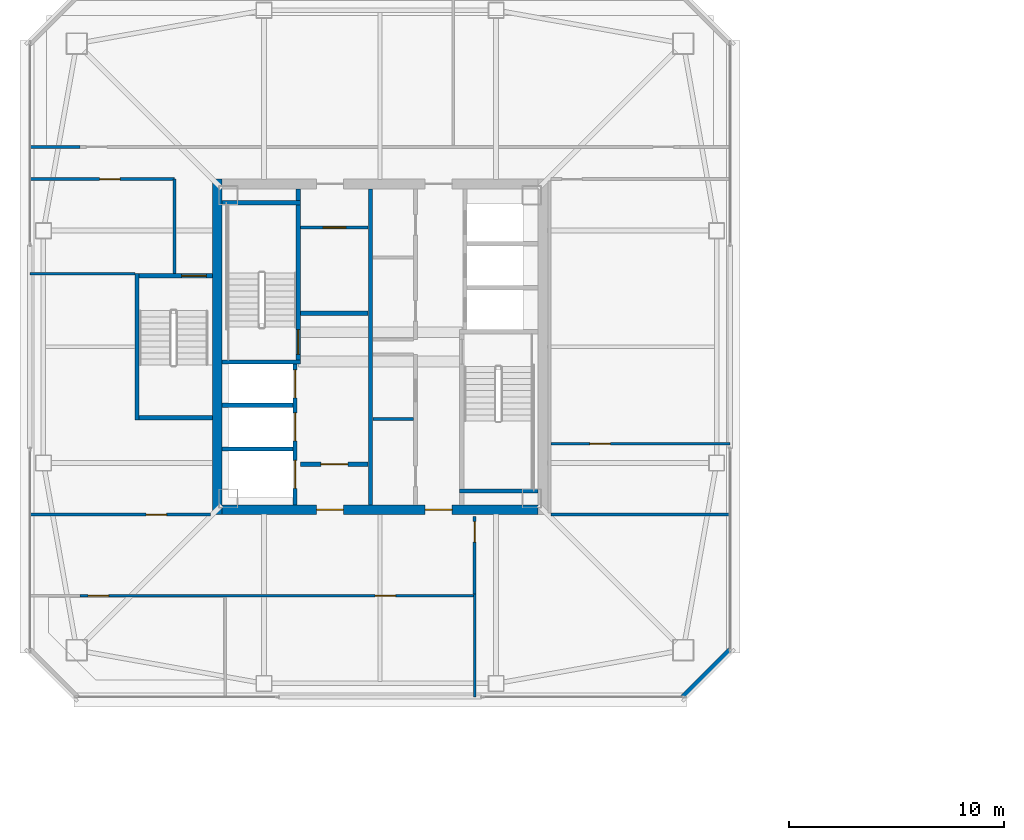
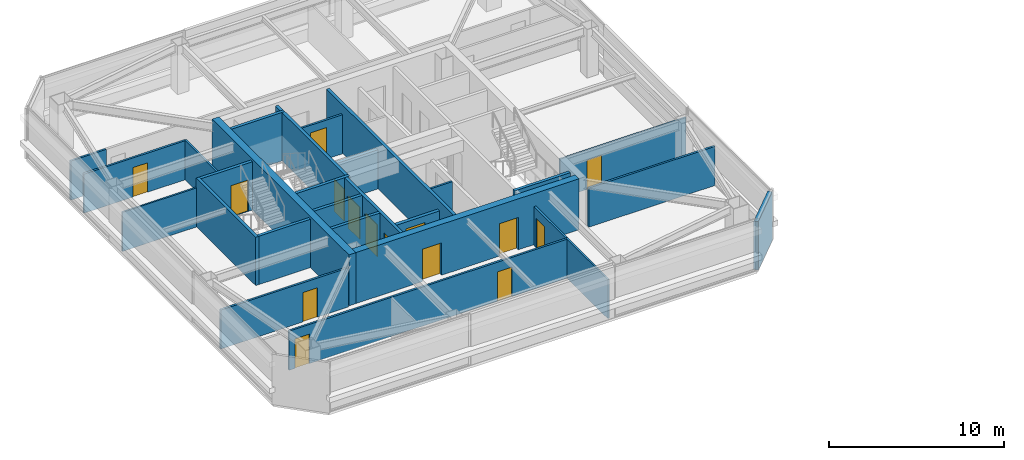
# One storey, part 29 of 39: 28 walls, 15 doors, 15 openings.
"""IFC4 building model written with IfcOpenShell, lengths in metres."""

from ifc_helpers import new_model, si_unit, direction, frame, frame_2d, origin, place, context, subcontext, project, spatial, rectangle, extrude, material, layer, layer_set, type_object, element, fill, save


model = new_model("IFC4")

# Units and contexts
model_context = context("Model", 3, precision=1e-05, world=origin(), true_north=direction((0.0, 1.0)))
body_context = subcontext(model_context, "Body", "Model", "MODEL_VIEW")
ifc_project = project(units=[si_unit("LENGTHUNIT", "METRE"), si_unit("AREAUNIT", "SQUARE_METRE"), si_unit("VOLUMEUNIT", "CUBIC_METRE"), si_unit("PLANEANGLEUNIT", "RADIAN"), si_unit("MASSUNIT", "GRAM", prefix="KILO")], contexts=[model_context])

# Site, building, storey
site_placement = place(None, origin())
site = spatial("IfcSite", under=ifc_project, at=site_placement, CompositionType="ELEMENT")
building_placement = place(site_placement, origin())
building = spatial("IfcBuilding", under=site, at=building_placement, Name="Tashvorn Skyway Center", CompositionType="ELEMENT")
storey_placement = place(building_placement, frame((0.0, 0.0, 207.75)))
storey = spatial("IfcBuildingStorey", under=building, at=storey_placement, Name="L56", CompositionType="ELEMENT", Elevation=207.75)

# Wall
ifc_material_1 = material(Name="Concrete C50/60", Category="concrete")
ifc_layer_1 = layer(ifc_material_1, 0.449951171875)
ifc_layer_set_1 = layer_set([ifc_layer_1], Name="Concrete C50/60")
wall_type_1 = type_object("IfcWallType", Name="WALL-CORE-450", PredefinedType="SHEAR", material=ifc_layer_set_1)
wall_1_placement = place(storey_placement, frame((34.425048828125, 24.199951171875, 0.0), z_axis=(0.0, 0.0, 1.0), x_axis=(0.0, 1.0, 0.0)))
element("IfcWall", 1, at=wall_1_placement, inside=storey, type_object=wall_type_1, Name="Tower 1 L56 West Core Shear Wall", PredefinedType="SHEAR", context=body_context, shape_type="SweptSolid", body=[
    extrude(rectangle(XDim=15.60009765625, YDim=0.449951171875, at=frame_2d((7.800048828125, 0.0))), origin(), (0.0, 0.0, 1.0), 3.550048828125),
])

# Wall, openings, doors
wall_2_placement = place(storey_placement, frame((49.35009765625, 24.425048828125, 0.0), z_axis=(0.0, 0.0, 1.0), x_axis=(-1.0, 0.0, 0.0)))
wall_2 = element("IfcWall", 2, at=wall_2_placement, inside=storey, type_object=wall_type_1, Name="Tower 1 L56 South Core Shear Wall", PredefinedType="SHEAR", context=body_context, shape_type="SweptSolid", body=[
    extrude(rectangle(XDim=14.7001953125, YDim=0.449951171875, at=frame_2d((7.35009765625, 0.0))), origin(), (0.0, 0.0, 1.0), 3.550048828125),
])
opening_1_placement = place(wall_2_placement, frame((9.050048828125, 0.0, 0.0)))
opening_1 = element("IfcOpeningElement", 3, at=opening_1_placement, cuts=wall_2, Name="Opening D-FFL-1250", PredefinedType="OPENING", context=body_context, shape_type="SweptSolid", body=[
    extrude(rectangle(XDim=1.25, YDim=2.25, at=frame_2d((0.625, 1.125))), frame((0.0, 0.23486328125, 0.0), z_axis=(0.0, -1.0, 0.0), x_axis=(1.0, 0.0, 0.0)), (0.0, 0.0, 1.0), 0.469970703125),
])
opening_2_placement = place(wall_2_placement, frame((4.0, 0.0, 0.0)))
opening_2 = element("IfcOpeningElement", 4, at=opening_2_placement, cuts=wall_2, Name="Opening D-FFL-1250", PredefinedType="OPENING", context=body_context, shape_type="SweptSolid", body=[
    extrude(rectangle(XDim=1.25, YDim=2.25, at=frame_2d((0.625, 1.125))), frame((0.0, 0.23486328125, 0.0), z_axis=(0.0, -1.0, 0.0), x_axis=(1.0, 0.0, 0.0)), (0.0, 0.0, 1.0), 0.469970703125),
])
ifc_material_2 = material(Name="Hollow galvanized steel fire door assembly", Category="steel")
door_type_1 = type_object("IfcDoorType", Name="DOOR-FFL-1250", OperationType="NOTDEFINED", PredefinedType="DOOR", material=ifc_material_2)
door_1_placement = place(opening_1_placement, origin())
door_1 = element("IfcDoor", 5, at=door_1_placement, inside=storey, type_object=door_type_1, Name="Tower 1 L56 Core South Firefighting Exit Door", OperationType="SINGLE_SWING_LEFT", OverallHeight=2.25, OverallWidth=1.25, PredefinedType="DOOR", context=body_context, shape_type="SweptSolid", body=[
    extrude(rectangle(XDim=1.25, YDim=2.25, at=frame_2d((0.625, 1.125))), frame((0.0, 0.02490234375, 0.0), z_axis=(0.0, -1.0, 0.0), x_axis=(1.0, 0.0, 0.0)), (0.0, 0.0, 1.0), 0.050048828125),
])
fill(opening_1, door_1)
door_2_placement = place(opening_2_placement, origin())
door_2 = element("IfcDoor", 6, at=door_2_placement, inside=storey, type_object=door_type_1, Name="Tower 1 L56 Core South Lift Lobby Door", OperationType="SINGLE_SWING_RIGHT", OverallHeight=2.25, OverallWidth=1.25, PredefinedType="DOOR", context=body_context, shape_type="SweptSolid", body=[
    extrude(rectangle(XDim=1.25, YDim=2.25, at=frame_2d((0.625, 1.125))), frame((0.0, 0.02490234375, 0.0), z_axis=(0.0, -1.0, 0.0), x_axis=(1.0, 0.0, 0.0)), (0.0, 0.0, 1.0), 0.050048828125),
])
fill(opening_2, door_2)

# Walls
ifc_material_3 = material(Name="Precast concrete C40/50", Category="concrete")
ifc_layer_2 = layer(ifc_material_3, 0.280029296875)
ifc_layer_set_2 = layer_set([ifc_layer_2], Name="Precast concrete C40/50")
wall_type_2 = type_object("IfcWallType", Name="WALL-EXT-280", PredefinedType="SOLIDWALL", material=ifc_layer_set_2)
wall_3_placement = place(storey_placement, frame((58.300048828125, 17.89990234375, 0.0), z_axis=(0.0, 0.0, 1.0), x_axis=(-0.707106781187, -0.707106781187, 0.0)))
element("IfcWall", 7, at=wall_3_placement, inside=storey, type_object=wall_type_2, Name="Tower 1 L56 SE Precast Chamfer Wall", PredefinedType="SOLIDWALL", context=body_context, shape_type="SweptSolid", body=[
    extrude(rectangle(XDim=3.111083984375, YDim=0.280029296875, at=frame_2d((1.5556640625, 0.0))), origin(), (0.0, 0.0, 1.0), 3.3701171875),
])
ifc_material_4 = material(Name="Concrete C40/50", Category="concrete")
ifc_layer_3 = layer(ifc_material_4, 0.219970703125)
ifc_layer_set_3 = layer_set([ifc_layer_3], Name="Concrete C40/50")
wall_type_3 = type_object("IfcWallType", Name="WALL-FFL-220", PredefinedType="SOLIDWALL", material=ifc_layer_set_3)
wall_4_placement = place(storey_placement, frame((38.300048828125, 33.56005859375, 0.0), z_axis=(0.0, 0.0, 1.0), x_axis=(1.0, 0.0, 0.0)))
element("IfcWall", 8, at=wall_4_placement, inside=storey, type_object=wall_type_3, Name="Tower 1 L56 Firefighting Lobby North Wall", PredefinedType="SOLIDWALL", context=body_context, shape_type="SweptSolid", body=[
    extrude(rectangle(XDim=3.14990234375, YDim=0.219970703125, at=frame_2d((1.574951171875, 0.0))), origin(), (0.0, 0.0, 1.0), 2.722900390625),
])

# Wall, opening, door
wall_5_placement = place(storey_placement, frame((38.300048828125, 26.5400390625, 0.0), z_axis=(0.0, 0.0, 1.0), x_axis=(1.0, 0.0, 0.0)))
wall_5 = element("IfcWall", 9, at=wall_5_placement, inside=storey, type_object=wall_type_3, Name="Tower 1 L56 Firefighting Lobby South Wall", PredefinedType="SOLIDWALL", context=body_context, shape_type="SweptSolid", body=[
    extrude(rectangle(XDim=3.14990234375, YDim=0.219970703125, at=frame_2d((1.574951171875, 0.0))), origin(), (0.0, 0.0, 1.0), 2.722900390625),
])
opening_3_placement = place(wall_5_placement, frame((0.949951171875, 0.0, 0.0)))
opening_3 = element("IfcOpeningElement", 10, at=opening_3_placement, cuts=wall_5, Name="Opening D-FFL-1250", PredefinedType="OPENING", context=body_context, shape_type="SweptSolid", body=[
    extrude(rectangle(XDim=1.25, YDim=2.25, at=frame_2d((0.625, 1.125))), frame((0.0, 0.119873046875, 0.0), z_axis=(0.0, -1.0, 0.0), x_axis=(1.0, 0.0, 0.0)), (0.0, 0.0, 1.0), 0.239990234375),
])
door_3_placement = place(opening_3_placement, origin())
door_3 = element("IfcDoor", 11, at=door_3_placement, inside=storey, type_object=door_type_1, Name="Tower 1 L56 Firefighting Lobby Egress Door", OperationType="SINGLE_SWING_LEFT", OverallHeight=2.25, OverallWidth=1.25, PredefinedType="DOOR", context=body_context, shape_type="SweptSolid", body=[
    extrude(rectangle(XDim=1.25, YDim=2.25, at=frame_2d((0.625, 1.125))), frame((0.0, 0.02490234375, 0.0), z_axis=(0.0, -1.0, 0.0), x_axis=(1.0, 0.0, 0.0)), (0.0, 0.0, 1.0), 0.050048828125),
])
fill(opening_3, door_3)

# Wall
ifc_material_5 = material(Name="Gypsum board on cold-formed steel stud framing", Category="steel")
ifc_layer_4 = layer(ifc_material_5, 0.110107421875)
ifc_layer_set_4 = layer_set([ifc_layer_4], Name="Gypsum board on cold-formed steel stud framing")
wall_type_4 = type_object("IfcWallType", Name="WALL-PART-110", PredefinedType="PARTITIONING", material=ifc_layer_set_4)
wall_6_placement = place(storey_placement, frame((46.39990234375, 15.719970703125, 0.0), z_axis=(0.0, 0.0, 1.0), x_axis=(0.0, 1.0, 0.0)))
element("IfcWall", 12, at=wall_6_placement, inside=storey, type_object=wall_type_4, Name="Tower 1 L56 South-East Suite Wall", PredefinedType="PARTITIONING", context=body_context, shape_type="SweptSolid", body=[
    extrude(rectangle(XDim=4.7900390625, YDim=0.110107421875, at=frame_2d((2.39501953125, 0.0))), origin(), (0.0, 0.0, 1.0), 2.722900390625),
])

# Wall, opening, door
wall_7_placement = place(storey_placement, frame((49.9599609375, 27.5, 0.0), z_axis=(0.0, 0.0, 1.0), x_axis=(1.0, 0.0, 0.0)))
wall_7 = element("IfcWall", 13, at=wall_7_placement, inside=storey, type_object=wall_type_4, Name="Tower 1 L56 East Mid Partition", PredefinedType="PARTITIONING", context=body_context, shape_type="SweptSolid", body=[
    extrude(rectangle(XDim=8.320068359375, YDim=0.110107421875, at=frame_2d((4.16015625, 0.0))), origin(), (0.0, 0.0, 1.0), 2.722900390625),
])
opening_4_placement = place(wall_7_placement, frame((1.800048828125, 0.0, 0.0)))
opening_4 = element("IfcOpeningElement", 14, at=opening_4_placement, cuts=wall_7, Name="Opening D-INT-950", PredefinedType="OPENING", context=body_context, shape_type="SweptSolid", body=[
    extrude(rectangle(XDim=0.949951171875, YDim=2.050048828125, at=frame_2d((0.47509765625, 1.02490234375))), frame((0.0, 0.06494140625, 0.0), z_axis=(0.0, -1.0, 0.0), x_axis=(1.0, 0.0, 0.0)), (0.0, 0.0, 1.0), 0.130126953125),
])
ifc_material_6 = material(Name="Solid-core architectural oak veneer door")
door_type_2 = type_object("IfcDoorType", Name="DOOR-INT-950", OperationType="NOTDEFINED", PredefinedType="DOOR", material=ifc_material_6)
door_4_placement = place(opening_4_placement, origin())
door_4 = element("IfcDoor", 15, at=door_4_placement, inside=storey, type_object=door_type_2, Name="Tower 1 L56 Corporate Office Door", OperationType="SINGLE_SWING_LEFT", OverallHeight=2.050048828125, OverallWidth=0.949951171875, PredefinedType="DOOR", context=body_context, shape_type="SweptSolid", body=[
    extrude(rectangle(XDim=0.949951171875, YDim=2.050048828125, at=frame_2d((0.47509765625, 1.02490234375))), frame((0.0, 0.02490234375, 0.0), z_axis=(0.0, -1.0, 0.0), x_axis=(1.0, 0.0, 0.0)), (0.0, 0.0, 1.0), 0.050048828125),
])
fill(opening_4, door_4)

# Walls
wall_8_placement = place(storey_placement, frame((30.60009765625, 35.39990234375, 0.0), z_axis=(0.0, 0.0, 1.0), x_axis=(-1.0, 0.0, 0.0)))
element("IfcWall", 16, at=wall_8_placement, inside=storey, type_object=wall_type_4, Name="Tower 1 L56 West Suite Partition 1", PredefinedType="PARTITIONING", context=body_context, shape_type="SweptSolid", body=[
    extrude(rectangle(XDim=4.880126953125, YDim=0.110107421875, at=frame_2d((2.43994140625, 0.0))), origin(), (0.0, 0.0, 1.0), 2.722900390625),
])
ifc_layer_5 = layer(ifc_material_5, 0.135009765625)
ifc_layer_set_5 = layer_set([ifc_layer_5], Name="Gypsum board on cold-formed steel stud framing")
wall_type_5 = type_object("IfcWallType", Name="WALL-PART-135", PredefinedType="PARTITIONING", material=ifc_layer_set_5)
wall_9_placement = place(storey_placement, frame((32.449951171875, 35.39990234375, 0.0), z_axis=(0.0, 0.0, 1.0), x_axis=(0.0, 1.0, 0.0)))
element("IfcWall", 17, at=wall_9_placement, inside=storey, type_object=wall_type_5, Name="Tower 1 L56 Stair 3 Access Corridor Wall", PredefinedType="PARTITIONING", context=body_context, shape_type="SweptSolid", body=[
    extrude(rectangle(XDim=4.400146484375, YDim=0.135009765625, at=frame_2d((2.2001953125, 0.0))), origin(), (0.0, 0.0, 1.0), 2.722900390625),
])
wall_10_placement = place(storey_placement, frame((25.719970703125, 41.300048828125, 0.0), z_axis=(0.0, 0.0, 1.0), x_axis=(1.0, 0.0, 0.0)))
element("IfcWall", 18, at=wall_10_placement, inside=storey, type_object=wall_type_5, Name="Tower 1 L56 North-West Suite South Wall", PredefinedType="PARTITIONING", context=body_context, shape_type="SweptSolid", body=[
    extrude(rectangle(XDim=2.330078125, YDim=0.135009765625, at=frame_2d((1.1650390625, 0.0))), origin(), (0.0, 0.0, 1.0), 2.722900390625),
])

# Wall, openings, doors
wall_11_placement = place(storey_placement, frame((46.39990234375, 20.429931640625, 0.0), z_axis=(0.0, 0.0, 1.0), x_axis=(-1.0, 0.0, 0.0)))
wall_11 = element("IfcWall", 19, at=wall_11_placement, inside=storey, type_object=wall_type_5, Name="Tower 1 L56 South Suite Wall", PredefinedType="PARTITIONING", context=body_context, shape_type="SweptSolid", body=[
    extrude(rectangle(XDim=18.349853515625, YDim=0.135009765625, at=frame_2d((9.1748046875, 0.0))), origin(), (0.0, 0.0, 1.0), 2.722900390625),
])
opening_5_placement = place(wall_11_placement, frame((17.02001953125, 0.0, 0.0)))
opening_5 = element("IfcOpeningElement", 20, at=opening_5_placement, cuts=wall_11, Name="Opening D-INT-950", PredefinedType="OPENING", context=body_context, shape_type="SweptSolid", body=[
    extrude(rectangle(XDim=0.949951171875, YDim=2.050048828125, at=frame_2d((0.47509765625, 1.02490234375))), frame((0.0, 0.077392578125, 0.0), z_axis=(0.0, -1.0, 0.0), x_axis=(1.0, 0.0, 0.0)), (0.0, 0.0, 1.0), 0.155029296875),
])
opening_6_placement = place(wall_11_placement, frame((3.6767578125, 0.0, 0.0)))
opening_6 = element("IfcOpeningElement", 21, at=opening_6_placement, cuts=wall_11, Name="Opening D-INT-950", PredefinedType="OPENING", context=body_context, shape_type="SweptSolid", body=[
    extrude(rectangle(XDim=0.949951171875, YDim=2.050048828125, at=frame_2d((0.47509765625, 1.02490234375))), frame((0.0, 0.077392578125, 0.0), z_axis=(0.0, -1.0, 0.0), x_axis=(1.0, 0.0, 0.0)), (0.0, 0.0, 1.0), 0.155029296875),
])
door_5_placement = place(opening_5_placement, origin())
door_5 = element("IfcDoor", 22, at=door_5_placement, inside=storey, type_object=door_type_2, Name="Tower 1 L56 Wellness Clinic Door", OperationType="SINGLE_SWING_LEFT", OverallHeight=2.050048828125, OverallWidth=0.949951171875, PredefinedType="DOOR", context=body_context, shape_type="SweptSolid", body=[
    extrude(rectangle(XDim=0.949951171875, YDim=2.050048828125, at=frame_2d((0.47509765625, 1.02490234375))), frame((0.0, 0.02490234375, 0.0), z_axis=(0.0, -1.0, 0.0), x_axis=(1.0, 0.0, 0.0)), (0.0, 0.0, 1.0), 0.050048828125),
])
fill(opening_5, door_5)
door_6_placement = place(opening_6_placement, origin())
door_6 = element("IfcDoor", 23, at=door_6_placement, inside=storey, type_object=door_type_2, Name="Tower 1 L56 Collaborative Studio Door", OperationType="SINGLE_SWING_RIGHT", OverallHeight=2.050048828125, OverallWidth=0.949951171875, PredefinedType="DOOR", context=body_context, shape_type="SweptSolid", body=[
    extrude(rectangle(XDim=0.949951171875, YDim=2.050048828125, at=frame_2d((0.47509765625, 1.02490234375))), frame((0.0, 0.02490234375, 0.0), z_axis=(0.0, -1.0, 0.0), x_axis=(1.0, 0.0, 0.0)), (0.0, 0.0, 1.0), 0.050048828125),
])
fill(opening_6, door_6)

# Wall, opening, door
wall_12_placement = place(storey_placement, frame((46.39990234375, 24.1201171875, 0.0), z_axis=(0.0, 0.0, 1.0), x_axis=(0.0, -1.0, 0.0)))
wall_12 = element("IfcWall", 24, at=wall_12_placement, inside=storey, type_object=wall_type_5, Name="Tower 1 L56 South Gallery End Wall", PredefinedType="PARTITIONING", context=body_context, shape_type="SweptSolid", body=[
    extrude(rectangle(XDim=3.610107421875, YDim=0.135009765625, at=frame_2d((1.80517578125, 0.0))), origin(), (0.0, 0.0, 1.0), 2.722900390625),
])
opening_7_placement = place(wall_12_placement, frame((0.25, 0.0, 0.0)))
opening_7 = element("IfcOpeningElement", 25, at=opening_7_placement, cuts=wall_12, Name="Opening D-INT-950", PredefinedType="OPENING", context=body_context, shape_type="SweptSolid", body=[
    extrude(rectangle(XDim=0.949951171875, YDim=2.050048828125, at=frame_2d((0.47509765625, 1.02490234375))), frame((0.0, 0.077392578125, 0.0), z_axis=(0.0, -1.0, 0.0), x_axis=(1.0, 0.0, 0.0)), (0.0, 0.0, 1.0), 0.155029296875),
])
door_7_placement = place(opening_7_placement, origin())
door_7 = element("IfcDoor", 26, at=door_7_placement, inside=storey, type_object=door_type_2, Name="Tower 1 L56 Operations Control Room Door", OperationType="SINGLE_SWING_LEFT", OverallHeight=2.050048828125, OverallWidth=0.949951171875, PredefinedType="DOOR", context=body_context, shape_type="SweptSolid", body=[
    extrude(rectangle(XDim=0.949951171875, YDim=2.050048828125, at=frame_2d((0.47509765625, 1.02490234375))), frame((0.0, 0.02490234375, 0.0), z_axis=(0.0, -1.0, 0.0), x_axis=(1.0, 0.0, 0.0)), (0.0, 0.0, 1.0), 0.050048828125),
])
fill(opening_7, door_7)

# Wall
wall_13_placement = place(storey_placement, frame((49.9599609375, 24.199951171875, 0.0), z_axis=(0.0, 0.0, 1.0), x_axis=(1.0, 0.0, 0.0)))
element("IfcWall", 27, at=wall_13_placement, inside=storey, type_object=wall_type_5, Name="Tower 1 L56 East Suite South Wall", PredefinedType="PARTITIONING", context=body_context, shape_type="SweptSolid", body=[
    extrude(rectangle(XDim=8.320068359375, YDim=0.135009765625, at=frame_2d((4.16015625, 0.0))), origin(), (0.0, 0.0, 1.0), 2.722900390625),
])

# Wall, opening, door
wall_14_placement = place(storey_placement, frame((32.449951171875, 39.800048828125, 0.0), z_axis=(0.0, 0.0, 1.0), x_axis=(-1.0, 0.0, 0.0)))
wall_14 = element("IfcWall", 28, at=wall_14_placement, inside=storey, type_object=wall_type_5, Name="Tower 1 L56 West Suite North Wall", PredefinedType="PARTITIONING", context=body_context, shape_type="SweptSolid", body=[
    extrude(rectangle(XDim=6.72998046875, YDim=0.135009765625, at=frame_2d((3.364990234375, 0.0))), origin(), (0.0, 0.0, 1.0), 2.722900390625),
])
opening_8_placement = place(wall_14_placement, frame((2.5400390625, 0.0, 0.0)))
opening_8 = element("IfcOpeningElement", 29, at=opening_8_placement, cuts=wall_14, Name="Opening D-INT-950", PredefinedType="OPENING", context=body_context, shape_type="SweptSolid", body=[
    extrude(rectangle(XDim=0.949951171875, YDim=2.050048828125, at=frame_2d((0.47509765625, 1.02490234375))), frame((0.0, 0.077392578125, 0.0), z_axis=(0.0, -1.0, 0.0), x_axis=(1.0, 0.0, 0.0)), (0.0, 0.0, 1.0), 0.155029296875),
])
door_8_placement = place(opening_8_placement, origin())
door_8 = element("IfcDoor", 30, at=door_8_placement, inside=storey, type_object=door_type_2, Name="Tower 1 L56 Corporate Office Door", OperationType="SINGLE_SWING_RIGHT", OverallHeight=2.050048828125, OverallWidth=0.949951171875, PredefinedType="DOOR", context=body_context, shape_type="SweptSolid", body=[
    extrude(rectangle(XDim=0.949951171875, YDim=2.050048828125, at=frame_2d((0.47509765625, 1.02490234375))), frame((0.0, 0.02490234375, 0.0), z_axis=(0.0, -1.0, 0.0), x_axis=(1.0, 0.0, 0.0)), (0.0, 0.0, 1.0), 0.050048828125),
])
fill(opening_8, door_8)

wall_15_placement = place(storey_placement, frame((25.719970703125, 24.199951171875, 0.0), z_axis=(0.0, 0.0, 1.0), x_axis=(1.0, 0.0, 0.0)))
wall_15 = element("IfcWall", 31, at=wall_15_placement, inside=storey, type_object=wall_type_5, Name="Tower 1 L56 West Suite South Wall", PredefinedType="PARTITIONING", context=body_context, shape_type="SweptSolid", body=[
    extrude(rectangle(XDim=8.400146484375, YDim=0.135009765625, at=frame_2d((4.2001953125, 0.0))), origin(), (0.0, 0.0, 1.0), 2.722900390625),
])
opening_9_placement = place(wall_15_placement, frame((5.405029296875, 0.0, 0.0)))
opening_9 = element("IfcOpeningElement", 32, at=opening_9_placement, cuts=wall_15, Name="Opening D-INT-950", PredefinedType="OPENING", context=body_context, shape_type="SweptSolid", body=[
    extrude(rectangle(XDim=0.949951171875, YDim=2.050048828125, at=frame_2d((0.47509765625, 1.02490234375))), frame((0.0, 0.077392578125, 0.0), z_axis=(0.0, -1.0, 0.0), x_axis=(1.0, 0.0, 0.0)), (0.0, 0.0, 1.0), 0.155029296875),
])
door_9_placement = place(opening_9_placement, origin())
door_9 = element("IfcDoor", 33, at=door_9_placement, inside=storey, type_object=door_type_2, Name="Tower 1 L56 Public Restroom Door", OperationType="SINGLE_SWING_LEFT", OverallHeight=2.050048828125, OverallWidth=0.949951171875, PredefinedType="DOOR", context=body_context, shape_type="SweptSolid", body=[
    extrude(rectangle(XDim=0.949951171875, YDim=2.050048828125, at=frame_2d((0.47509765625, 1.02490234375))), frame((0.0, 0.02490234375, 0.0), z_axis=(0.0, -1.0, 0.0), x_axis=(1.0, 0.0, 0.0)), (0.0, 0.0, 1.0), 0.050048828125),
])
fill(opening_9, door_9)

ifc_layer_6 = layer(ifc_material_5, 0.135009765625)
ifc_layer_set_6 = layer_set([ifc_layer_6], Name="Gypsum board on cold-formed steel stud framing")
wall_type_6 = type_object("IfcWallType", Name="WALL-RATED-135", PredefinedType="PARTITIONING", material=ifc_layer_set_6)
wall_16_placement = place(storey_placement, frame((38.300048828125, 37.550048828125, 0.0), z_axis=(0.0, 0.0, 1.0), x_axis=(1.0, 0.0, 0.0)))
wall_16 = element("IfcWall", 34, at=wall_16_placement, inside=storey, type_object=wall_type_6, Name="Tower 1 L56 Core Service Lobby Wall", PredefinedType="PARTITIONING", context=body_context, shape_type="SweptSolid", body=[
    extrude(rectangle(XDim=3.14990234375, YDim=0.135009765625, at=frame_2d((1.574951171875, 0.0))), origin(), (0.0, 0.0, 1.0), 2.722900390625),
])
opening_10_placement = place(wall_16_placement, frame((1.050048828125, 0.0, 0.0)))
opening_10 = element("IfcOpeningElement", 35, at=opening_10_placement, cuts=wall_16, Name="Opening D-RT-1050", PredefinedType="OPENING", context=body_context, shape_type="SweptSolid", body=[
    extrude(rectangle(XDim=1.050048828125, YDim=2.199951171875, at=frame_2d((0.52490234375, 1.10009765625))), frame((0.0, 0.077392578125, 0.0), z_axis=(0.0, -1.0, 0.0), x_axis=(1.0, 0.0, 0.0)), (0.0, 0.0, 1.0), 0.155029296875),
])
door_type_3 = type_object("IfcDoorType", Name="DOOR-RATED-1050", OperationType="NOTDEFINED", PredefinedType="DOOR", material=ifc_material_2)
door_10_placement = place(opening_10_placement, origin())
door_10 = element("IfcDoor", 36, at=door_10_placement, inside=storey, type_object=door_type_3, Name="Tower 1 L56 Core Accessible WC Door", OperationType="SINGLE_SWING_LEFT", OverallHeight=2.199951171875, OverallWidth=1.050048828125, PredefinedType="DOOR", context=body_context, shape_type="SweptSolid", body=[
    extrude(rectangle(XDim=1.050048828125, YDim=2.199951171875, at=frame_2d((0.52490234375, 1.10009765625))), frame((0.0, 0.02490234375, 0.0), z_axis=(0.0, -1.0, 0.0), x_axis=(1.0, 0.0, 0.0)), (0.0, 0.0, 1.0), 0.050048828125),
])
fill(opening_10, door_10)

# Walls
wall_17_placement = place(storey_placement, frame((41.669921875, 28.64990234375, 0.0), z_axis=(0.0, 0.0, 1.0), x_axis=(1.0, 0.0, 0.0)))
element("IfcWall", 37, at=wall_17_placement, inside=storey, type_object=wall_type_6, Name="Tower 1 L56 Freed Core Partition", PredefinedType="PARTITIONING", context=body_context, shape_type="SweptSolid", body=[
    extrude(rectangle(XDim=1.880126953125, YDim=0.135009765625, at=frame_2d((0.93994140625, 0.0))), origin(), (0.0, 0.0, 1.0), 2.722900390625),
])
ifc_layer_7 = layer(ifc_material_4, 0.199951171875)
ifc_layer_set_7 = layer_set([ifc_layer_7], Name="Concrete C40/50")
wall_type_7 = type_object("IfcWallType", Name="WALL-SHAFT-200", PredefinedType="SOLIDWALL", material=ifc_layer_set_7)
for number, where, z_axis, x_axis, name in (
    (38, (34.64990234375, 27.25, 0.0), (0.0, 0.0, 1.0), (1.0, 0.0, 0.0), "Tower 1 L56 FSAE Shaft Divider"),
    (39, (34.64990234375, 29.280029296875, 0.0), (0.0, 0.0, 1.0), (1.0, 0.0, 0.0), "Tower 1 L56 FSAE Shaft Divider"),
):
    element("IfcWall", number, at=place(storey_placement, frame(where, z_axis=z_axis, x_axis=x_axis)), inside=storey, type_object=wall_type_7, Name=name, PredefinedType="SOLIDWALL", context=body_context, shape_type="SweptSolid", body=[
        extrude(rectangle(XDim=3.300048828125, YDim=0.199951171875, at=frame_2d((1.64990234375, 0.0))), origin(), (0.0, 0.0, 1.0), 3.3701171875),
    ])

# Wall, opening, door
ifc_layer_8 = layer(ifc_material_4, 0.199951171875)
ifc_layer_set_8 = layer_set([ifc_layer_8], Name="Concrete C40/50")
wall_type_8 = type_object("IfcWallType", Name="WALL-STSHF-200", PredefinedType="SHEAR", material=ifc_layer_set_8)
wall_18_placement = place(storey_placement, frame((38.199951171875, 31.199951171875, 0.0), z_axis=(0.0, 0.0, 1.0), x_axis=(0.0, 1.0, 0.0)))
wall_18 = element("IfcWall", 40, at=wall_18_placement, inside=storey, type_object=wall_type_8, Name="Tower 1 L56 Stair 1 Enclosure Wall", PredefinedType="SHEAR", context=body_context, shape_type="SweptSolid", body=[
    extrude(rectangle(XDim=8.150146484375, YDim=0.199951171875, at=frame_2d((4.0751953125, 0.0))), origin(), (0.0, 0.0, 1.0), 3.3701171875),
])
opening_11_placement = place(wall_18_placement, frame((0.449951171875, 0.0, 0.0)))
opening_11 = element("IfcOpeningElement", 41, at=opening_11_placement, cuts=wall_18, Name="Opening D-ST-1150", PredefinedType="OPENING", context=body_context, shape_type="SweptSolid", body=[
    extrude(rectangle(XDim=1.14990234375, YDim=2.199951171875, at=frame_2d((0.574951171875, 1.10009765625))), frame((0.0, 0.10986328125, 0.0), z_axis=(0.0, -1.0, 0.0), x_axis=(1.0, 0.0, 0.0)), (0.0, 0.0, 1.0), 0.219970703125),
])
door_type_4 = type_object("IfcDoorType", Name="DOOR-STAIR-1150", OperationType="NOTDEFINED", PredefinedType="DOOR", material=ifc_material_2)
door_11_placement = place(opening_11_placement, origin())
door_11 = element("IfcDoor", 42, at=door_11_placement, inside=storey, type_object=door_type_4, Name="Tower 1 L56 Exit Stair 1 Door", OperationType="SINGLE_SWING_RIGHT", OverallHeight=2.199951171875, OverallWidth=1.14990234375, PredefinedType="DOOR", context=body_context, shape_type="SweptSolid", body=[
    extrude(rectangle(XDim=1.14990234375, YDim=2.199951171875, at=frame_2d((0.574951171875, 1.10009765625))), frame((0.0, 0.02490234375, 0.0), z_axis=(0.0, -1.0, 0.0), x_axis=(1.0, 0.0, 0.0)), (0.0, 0.0, 1.0), 0.050048828125),
])
fill(opening_11, door_11)

# Walls
for number, where, z_axis, x_axis, name in (
    (43, (34.64990234375, 31.300048828125, 0.0), (0.0, 0.0, 1.0), (1.0, 0.0, 0.0), "Tower 1 L56 Stair 1 South Wall"),
    (44, (34.64990234375, 38.699951171875, 0.0), (0.0, 0.0, 1.0), (1.0, 0.0, 0.0), "Tower 1 L56 Stair 1 North Wall"),
    (45, (45.699951171875, 25.300048828125, 0.0), (0.0, 0.0, 1.0), (1.0, 0.0, 0.0), "Tower 1 L56 Stair 2 South Wall"),
):
    element("IfcWall", number, at=place(storey_placement, frame(where, z_axis=z_axis, x_axis=x_axis)), inside=storey, type_object=wall_type_8, Name=name, PredefinedType="SHEAR", context=body_context, shape_type="SweptSolid", body=[
        extrude(rectangle(XDim=3.650146484375, YDim=0.199951171875, at=frame_2d((1.8251953125, 0.0))), origin(), (0.0, 0.0, 1.0), 3.3701171875),
    ])
wall_19_placement = place(storey_placement, frame((41.56005859375, 24.64990234375, 0.0), z_axis=(0.0, 0.0, 1.0), x_axis=(0.0, 1.0, 0.0)))
element("IfcWall", 46, at=wall_19_placement, inside=storey, type_object=wall_type_8, Name="Tower 1 L56 Firefighting Lobby East Smoke Barrier", PredefinedType="SHEAR", context=body_context, shape_type="SweptSolid", body=[
    extrude(rectangle(XDim=14.7001953125, YDim=0.199951171875, at=frame_2d((7.35009765625, 0.0))), origin(), (0.0, 0.0, 1.0), 3.3701171875),
])

# Wall, openings, doors
wall_20_placement = place(storey_placement, frame((38.050048828125, 24.64990234375, 0.0), z_axis=(0.0, 0.0, 1.0), x_axis=(0.0, 1.0, 0.0)))
wall_20 = element("IfcWall", 47, at=wall_20_placement, inside=storey, type_object=wall_type_8, Name="Tower 1 L56 FSAE and Goods Shaft Front Wall", PredefinedType="SHEAR", context=body_context, shape_type="SweptSolid", body=[
    extrude(rectangle(XDim=6.550048828125, YDim=0.199951171875, at=frame_2d((3.27490234375, 0.0))), origin(), (0.0, 0.0, 1.0), 3.3701171875),
])
opening_12_placement = place(wall_20_placement, frame((4.97509765625, 0.0, 0.0)))
opening_12 = element("IfcOpeningElement", 48, at=opening_12_placement, cuts=wall_20, Name="Opening LD-FF-T1-1-L56", PredefinedType="OPENING", context=body_context, shape_type="SweptSolid", body=[
    extrude(rectangle(XDim=1.300048828125, YDim=2.25, at=frame_2d((0.64990234375, 1.125))), frame((0.0, 0.10986328125, 0.0), z_axis=(0.0, -1.0, 0.0), x_axis=(1.0, 0.0, 0.0)), (0.0, 0.0, 1.0), 0.219970703125),
])
opening_13_placement = place(wall_20_placement, frame((2.97509765625, 0.0, 0.0)))
opening_13 = element("IfcOpeningElement", 49, at=opening_13_placement, cuts=wall_20, Name="Opening LD-FF-T1-2-L56", PredefinedType="OPENING", context=body_context, shape_type="SweptSolid", body=[
    extrude(rectangle(XDim=1.300048828125, YDim=2.25, at=frame_2d((0.64990234375, 1.125))), frame((0.0, 0.10986328125, 0.0), z_axis=(0.0, -1.0, 0.0), x_axis=(1.0, 0.0, 0.0)), (0.0, 0.0, 1.0), 0.219970703125),
])
opening_14_placement = place(wall_20_placement, frame((0.77490234375, 0.0, 0.0)))
opening_14 = element("IfcOpeningElement", 50, at=opening_14_placement, cuts=wall_20, Name="Opening LD-GD-T1-1-L56", PredefinedType="OPENING", context=body_context, shape_type="SweptSolid", body=[
    extrude(rectangle(XDim=1.300048828125, YDim=2.25, at=frame_2d((0.64990234375, 1.125))), frame((0.0, 0.10986328125, 0.0), z_axis=(0.0, -1.0, 0.0), x_axis=(1.0, 0.0, 0.0)), (0.0, 0.0, 1.0), 0.219970703125),
])
ifc_material_7 = material(Name="Stainless steel heavy-duty landing door", Category="steel")
door_type_5 = type_object("IfcDoorType", Name="DOOR-LIFT-1300", OperationType="SLIDING_TO_LEFT", PredefinedType="DOOR", material=ifc_material_7)
door_12_placement = place(opening_12_placement, origin())
door_12 = element("IfcDoor", 51, at=door_12_placement, inside=storey, type_object=door_type_5, Name="Lift FF-T1-1 L56 Landing Door", OperationType="SLIDING_TO_LEFT", OverallHeight=2.25, OverallWidth=1.300048828125, PredefinedType="DOOR", context=body_context, shape_type="SweptSolid", body=[
    extrude(rectangle(XDim=1.300048828125, YDim=2.25, at=frame_2d((0.64990234375, 1.125))), frame((0.0, 0.02490234375, 0.0), z_axis=(0.0, -1.0, 0.0), x_axis=(1.0, 0.0, 0.0)), (0.0, 0.0, 1.0), 0.050048828125),
])
fill(opening_12, door_12)
door_13_placement = place(opening_13_placement, origin())
door_13 = element("IfcDoor", 52, at=door_13_placement, inside=storey, type_object=door_type_5, Name="Lift FF-T1-2 L56 Landing Door", OperationType="SLIDING_TO_LEFT", OverallHeight=2.25, OverallWidth=1.300048828125, PredefinedType="DOOR", context=body_context, shape_type="SweptSolid", body=[
    extrude(rectangle(XDim=1.300048828125, YDim=2.25, at=frame_2d((0.64990234375, 1.125))), frame((0.0, 0.02490234375, 0.0), z_axis=(0.0, -1.0, 0.0), x_axis=(1.0, 0.0, 0.0)), (0.0, 0.0, 1.0), 0.050048828125),
])
fill(opening_13, door_13)
door_14_placement = place(opening_14_placement, origin())
door_14 = element("IfcDoor", 53, at=door_14_placement, inside=storey, type_object=door_type_5, Name="Lift GD-T1-1 L56 Landing Door", OperationType="SLIDING_TO_LEFT", OverallHeight=2.25, OverallWidth=1.300048828125, PredefinedType="DOOR", context=body_context, shape_type="SweptSolid", body=[
    extrude(rectangle(XDim=1.300048828125, YDim=2.25, at=frame_2d((0.64990234375, 1.125))), frame((0.0, 0.02490234375, 0.0), z_axis=(0.0, -1.0, 0.0), x_axis=(1.0, 0.0, 0.0)), (0.0, 0.0, 1.0), 0.050048828125),
])
fill(opening_14, door_14)

# Wall
wall_21_placement = place(storey_placement, frame((30.699951171875, 28.60009765625, 0.0), z_axis=(0.0, 0.0, 1.0), x_axis=(0.0, 1.0, 0.0)))
element("IfcWall", 54, at=wall_21_placement, inside=storey, type_object=wall_type_8, Name="Tower 1 L56 Stair 3 Outer Wall", PredefinedType="SHEAR", context=body_context, shape_type="SweptSolid", body=[
    extrude(rectangle(XDim=6.7998046875, YDim=0.199951171875, at=frame_2d((3.39990234375, 0.0))), origin(), (0.0, 0.0, 1.0), 3.3701171875),
])

# Wall, opening, door
wall_22_placement = place(storey_placement, frame((34.199951171875, 35.300048828125, 0.0), z_axis=(0.0, 0.0, 1.0), x_axis=(-1.0, 0.0, 0.0)))
wall_22 = element("IfcWall", 55, at=wall_22_placement, inside=storey, type_object=wall_type_8, Name="Tower 1 L56 Stair 3 Enclosure Wall", PredefinedType="SHEAR", context=body_context, shape_type="SweptSolid", body=[
    extrude(rectangle(XDim=3.39990234375, YDim=0.199951171875, at=frame_2d((1.699951171875, 0.0))), origin(), (0.0, 0.0, 1.0), 3.3701171875),
])
opening_15_placement = place(wall_22_placement, frame((0.27490234375, 0.0, 0.0)))
opening_15 = element("IfcOpeningElement", 56, at=opening_15_placement, cuts=wall_22, Name="Opening D-ST-1150", PredefinedType="OPENING", context=body_context, shape_type="SweptSolid", body=[
    extrude(rectangle(XDim=1.14990234375, YDim=2.199951171875, at=frame_2d((0.574951171875, 1.10009765625))), frame((0.0, 0.10986328125, 0.0), z_axis=(0.0, -1.0, 0.0), x_axis=(1.0, 0.0, 0.0)), (0.0, 0.0, 1.0), 0.219970703125),
])
door_15_placement = place(opening_15_placement, origin())
door_15 = element("IfcDoor", 57, at=door_15_placement, inside=storey, type_object=door_type_4, Name="Tower 1 L56 Exit Stair 3 Door", OperationType="SINGLE_SWING_RIGHT", OverallHeight=2.199951171875, OverallWidth=1.14990234375, PredefinedType="DOOR", context=body_context, shape_type="SweptSolid", body=[
    extrude(rectangle(XDim=1.14990234375, YDim=2.199951171875, at=frame_2d((0.574951171875, 1.10009765625))), frame((0.0, 0.02490234375, 0.0), z_axis=(0.0, -1.0, 0.0), x_axis=(1.0, 0.0, 0.0)), (0.0, 0.0, 1.0), 0.050048828125),
])
fill(opening_15, door_15)

# Wall
wall_23_placement = place(storey_placement, frame((30.800048828125, 28.699951171875, 0.0), z_axis=(0.0, 0.0, 1.0), x_axis=(1.0, 0.0, 0.0)))
element("IfcWall", 58, at=wall_23_placement, inside=storey, type_object=wall_type_8, Name="Tower 1 L56 Stair 3 South Wall", PredefinedType="SHEAR", context=body_context, shape_type="SweptSolid", body=[
    extrude(rectangle(XDim=3.39990234375, YDim=0.199951171875, at=frame_2d((1.699951171875, 0.0))), origin(), (0.0, 0.0, 1.0), 3.3701171875),
])

save(model, "model.ifc")
